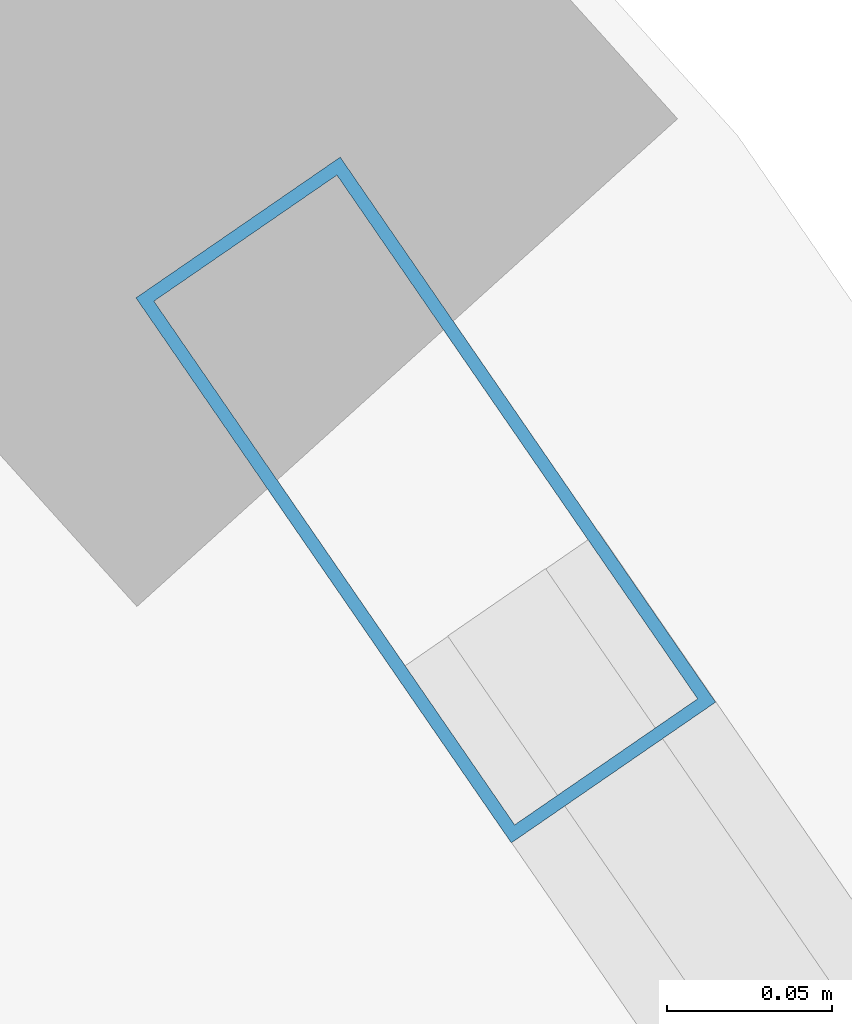
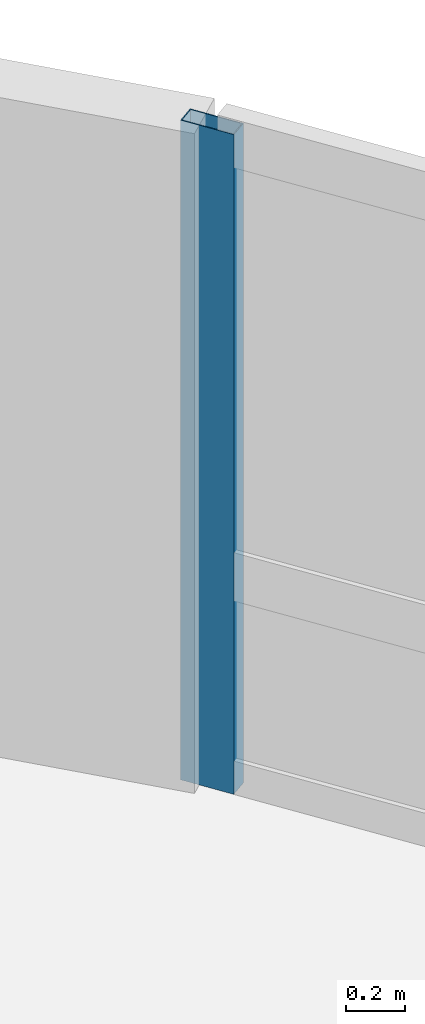
# One storey, part 13 of 22: 1 member, 1 element without a shape of its own.
"""IFC4 building model written with IfcOpenShell, lengths in metres."""

from ifc_helpers import new_model, si_unit, direction, frame, origin, origin_2d, place, context, subcontext, project, spatial, hollow_rectangle, extrude, material, layer, layer_set, material_profile, profile_set, type_object, element, aggregate, save


model = new_model("IFC4")

# Units and contexts
model_context = context("Model", 3, precision=1e-05, world=origin(), true_north=direction((0.0, 1.0)))
body_context = subcontext(model_context, "Body", "Model", "MODEL_VIEW")
ifc_project = project(units=[si_unit("LENGTHUNIT", "METRE"), si_unit("AREAUNIT", "SQUARE_METRE"), si_unit("VOLUMEUNIT", "CUBIC_METRE"), si_unit("PLANEANGLEUNIT", "RADIAN"), si_unit("MASSUNIT", "GRAM", prefix="KILO")], contexts=[model_context])

# Site, building, storey
site_placement = place(None, origin())
site = spatial("IfcSite", under=ifc_project, at=site_placement, CompositionType="ELEMENT")
building_placement = place(site_placement, origin())
building = spatial("IfcBuilding", under=site, at=building_placement, Name="Varnelok Gate Tower", CompositionType="ELEMENT")
storey_placement = place(building_placement, frame((0.0, 0.0, 284.10009765625)))
storey = spatial("IfcBuildingStorey", under=building, at=storey_placement, Name="L73", CompositionType="ELEMENT", Elevation=284.10009765625)

# Curtain wall, member
ifc_material = material(Name="Anodized Aluminum Alloy 6063-T6", Category="aluminium")
ifc_layer = layer(ifc_material, 0.179931640625)
ifc_layer_set = layer_set([ifc_layer], Name="Anodized Aluminum Alloy 6063-T6")
curtain_wall_type = type_object("IfcCurtainWallType", Name="CW6-CROWN-LOOKOUT", PredefinedType="USERDEFINED", material=ifc_layer_set)
curtain_wall_placement = place(storey_placement, origin())
curtain_wall = element("IfcCurtainWall", 1, at=curtain_wall_placement, inside=storey, type_object=curtain_wall_type, Name="L73 East End Vision Curtain Wall", ObjectType="STRUCTURAL GLAZING", PredefinedType="USERDEFINED")
ifc_material_profile = material_profile(ifc_material, hollow_rectangle(XDim=0.074951171875, YDim=0.199951171875, WallThickness=0.00390625, at=origin_2d()), Name="ALU200X75X4")
ifc_profile_set = profile_set([ifc_material_profile], Name="Anodized Aluminum Alloy 6063-T6")
member_type = type_object("IfcMemberType", Name="CW-MULL-200", PredefinedType="MULLION", material=ifc_profile_set)
member_placement = place(storey_placement, frame((57.515380859375, 56.8134765625, 0.0), z_axis=(0.0, 0.0, 1.0), x_axis=(0.823532290241, 0.567269395376, 0.0)))
member = element("IfcMember", 2, at=member_placement, type_object=member_type, Name="CW6 mullion 1", PredefinedType="MULLION", context=body_context, shape_type="SweptSolid", body=[
    extrude(hollow_rectangle(XDim=0.074951171875, YDim=0.199951171875, WallThickness=0.00390625, at=origin_2d()), origin(), (0.0, 0.0, 1.0), 2.72998046875),
])
aggregate(curtain_wall, [member])

save(model, "model.ifc")
